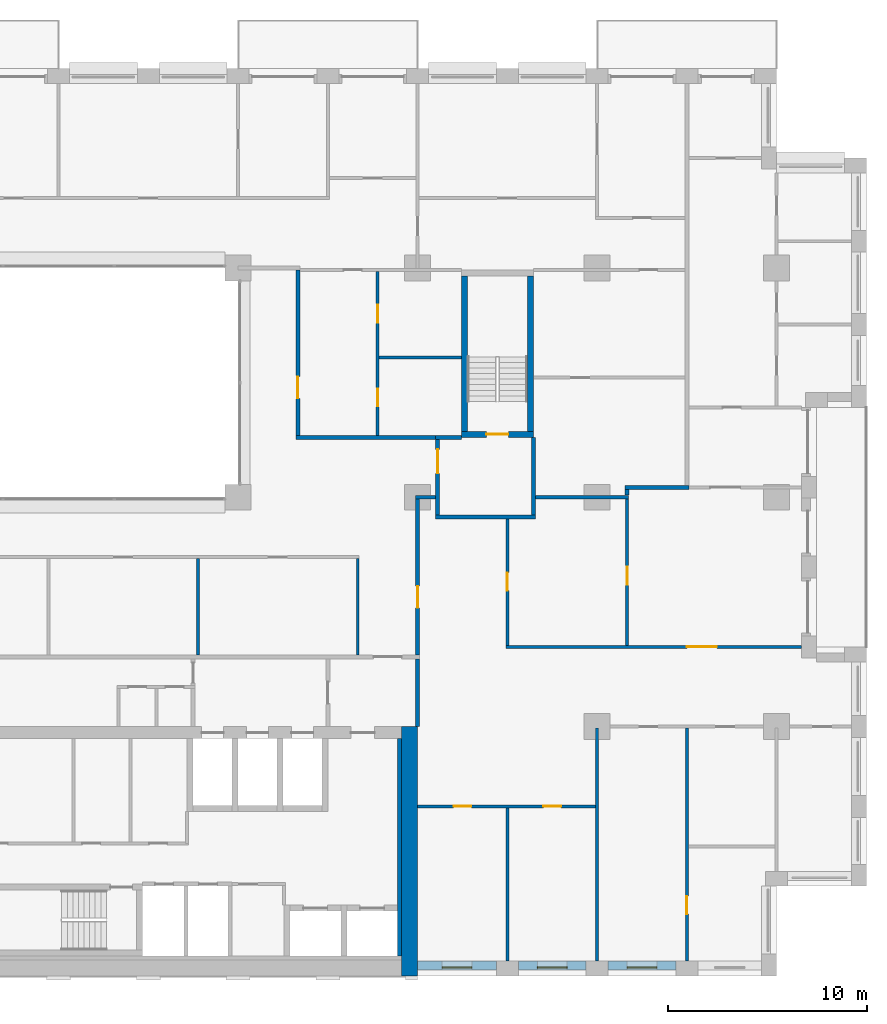
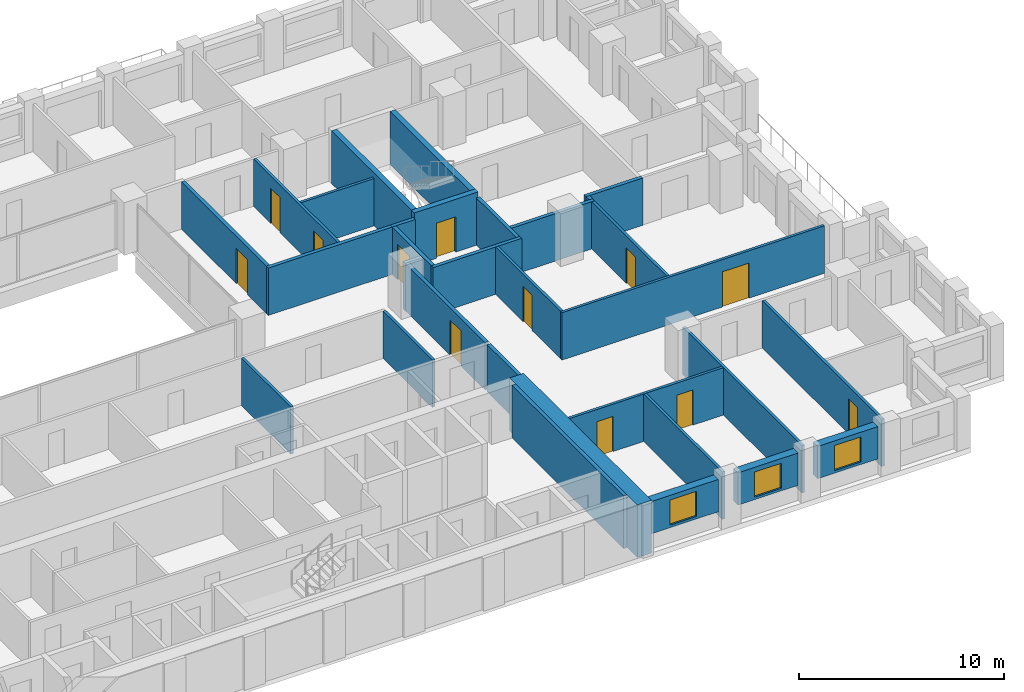
# One storey, part 11 of 17: 31 walls, 12 doors, 3 windows, 15 openings.
"""IFC4 building model written with IfcOpenShell, lengths in metres."""

from ifc_helpers import new_model, si_unit, direction, frame, frame_2d, origin, place, context, subcontext, project, spatial, rectangle, extrude, material, layer, layer_set, type_object, element, fill, save


model = new_model("IFC4")

# Units and contexts
model_context = context("Model", 3, precision=1e-05, world=origin(), true_north=direction((0.0, 1.0)))
body_context = subcontext(model_context, "Body", "Model", "MODEL_VIEW")
ifc_project = project(units=[si_unit("LENGTHUNIT", "METRE"), si_unit("AREAUNIT", "SQUARE_METRE"), si_unit("VOLUMEUNIT", "CUBIC_METRE"), si_unit("PLANEANGLEUNIT", "RADIAN"), si_unit("MASSUNIT", "GRAM", prefix="KILO")], contexts=[model_context])

# Site, building, storey
site_placement = place(None, origin())
site = spatial("IfcSite", under=ifc_project, at=site_placement, CompositionType="ELEMENT")
building_placement = place(site_placement, origin())
building = spatial("IfcBuilding", under=site, at=building_placement, Name="Brigalow Station Residences", CompositionType="ELEMENT")
storey_placement = place(building_placement, frame((0.0, 0.0, 111.89990234375)))
storey = spatial("IfcBuildingStorey", under=building, at=storey_placement, Name="L32", CompositionType="ELEMENT", Elevation=111.89990234375)

# Wall, opening, window
ifc_material_1 = material(Name="Clay brick masonry", Category="masonry")
ifc_layer_1 = layer(ifc_material_1, 0.449951171875)
ifc_layer_set_1 = layer_set([ifc_layer_1], Name="BRICK INFILL WALL 450")
wall_type_1 = type_object("IfcWallType", Name="BRICK INFILL WALL 450", PredefinedType="SOLIDWALL", material=ifc_layer_set_1)
wall_1_placement = place(storey_placement, frame((54.0, 0.52490234375, 0.900146484375), z_axis=(0.0, 0.0, 1.0), x_axis=(1.0, 0.0, 0.0)))
wall_1 = element("IfcWall", 1, at=wall_1_placement, inside=storey, type_object=wall_type_1, Name="L32/ewall/W-L32-4", PredefinedType="SOLIDWALL", context=body_context, shape_type="SweptSolid", body=[
    extrude(rectangle(XDim=3.949951171875, YDim=0.449951171875, at=frame_2d((1.97509765625, 0.0))), origin(), (0.0, 0.0, 1.0), 1.929931640625),
])
opening_1_placement = place(wall_1_placement, frame((1.22509765625, 0.0, 0.14990234375)))
opening_1 = element("IfcOpeningElement", 2, at=opening_1_placement, cuts=wall_1, Name="Opening WT-1", PredefinedType="OPENING", context=body_context, shape_type="SweptSolid", body=[
    extrude(rectangle(XDim=1.5, YDim=1.5, at=frame_2d((0.75, 0.75))), frame((0.0, 0.23486328125, 0.0), z_axis=(0.0, -1.0, 0.0), x_axis=(1.0, 0.0, 0.0)), (0.0, 0.0, 1.0), 0.469970703125),
])
ifc_material_2 = material(Name="Anodised aluminium frame with double glazing", Category="aluminium")
window_type = type_object("IfcWindowType", Name="WINDOW 1500x1500", PartitioningType="SINGLE_PANEL", PredefinedType="WINDOW", material=ifc_material_2)
window_1_placement = place(opening_1_placement, origin())
window_1 = element("IfcWindow", 3, at=window_1_placement, inside=storey, type_object=window_type, Name="L32/window/W-L32-4", OverallHeight=1.5, OverallWidth=1.5, PartitioningType="SINGLE_PANEL", PredefinedType="WINDOW", context=body_context, shape_type="SweptSolid", body=[
    extrude(rectangle(XDim=1.5, YDim=1.5, at=frame_2d((0.75, 0.75))), frame((0.0, -0.06494140625, 0.0), z_axis=(0.0, -1.0, 0.0), x_axis=(1.0, 0.0, 0.0)), (0.0, 0.0, 1.0), 0.06005859375),
])
fill(opening_1, window_1)

wall_2_placement = place(storey_placement, frame((59.050048828125, 0.52490234375, 0.900146484375), z_axis=(0.0, 0.0, 1.0), x_axis=(1.0, 0.0, 0.0)))
wall_2 = element("IfcWall", 4, at=wall_2_placement, inside=storey, type_object=wall_type_1, Name="L32/ewall/W-L32-5", PredefinedType="SOLIDWALL", context=body_context, shape_type="SweptSolid", body=[
    extrude(rectangle(XDim=3.39990234375, YDim=0.449951171875, at=frame_2d((1.699951171875, 0.0))), origin(), (0.0, 0.0, 1.0), 1.929931640625),
])
opening_2_placement = place(wall_2_placement, frame((0.949951171875, 0.0, 0.14990234375)))
opening_2 = element("IfcOpeningElement", 5, at=opening_2_placement, cuts=wall_2, Name="Opening WT-1", PredefinedType="OPENING", context=body_context, shape_type="SweptSolid", body=[
    extrude(rectangle(XDim=1.5, YDim=1.5, at=frame_2d((0.75, 0.75))), frame((0.0, 0.23486328125, 0.0), z_axis=(0.0, -1.0, 0.0), x_axis=(1.0, 0.0, 0.0)), (0.0, 0.0, 1.0), 0.469970703125),
])
window_2_placement = place(opening_2_placement, origin())
window_2 = element("IfcWindow", 6, at=window_2_placement, inside=storey, type_object=window_type, Name="L32/window/W-L32-5", OverallHeight=1.5, OverallWidth=1.5, PartitioningType="SINGLE_PANEL", PredefinedType="WINDOW", context=body_context, shape_type="SweptSolid", body=[
    extrude(rectangle(XDim=1.5, YDim=1.5, at=frame_2d((0.75, 0.75))), frame((0.0, -0.06494140625, 0.0), z_axis=(0.0, -1.0, 0.0), x_axis=(1.0, 0.0, 0.0)), (0.0, 0.0, 1.0), 0.06005859375),
])
fill(opening_2, window_2)

wall_3_placement = place(storey_placement, frame((63.550048828125, 0.52490234375, 0.900146484375), z_axis=(0.0, 0.0, 1.0), x_axis=(1.0, 0.0, 0.0)))
wall_3 = element("IfcWall", 7, at=wall_3_placement, inside=storey, type_object=wall_type_1, Name="L32/ewall/W-L32-6", PredefinedType="SOLIDWALL", context=body_context, shape_type="SweptSolid", body=[
    extrude(rectangle(XDim=3.39990234375, YDim=0.449951171875, at=frame_2d((1.699951171875, 0.0))), origin(), (0.0, 0.0, 1.0), 1.929931640625),
])
opening_3_placement = place(wall_3_placement, frame((0.949951171875, 0.0, 0.14990234375)))
opening_3 = element("IfcOpeningElement", 8, at=opening_3_placement, cuts=wall_3, Name="Opening WT-1", PredefinedType="OPENING", context=body_context, shape_type="SweptSolid", body=[
    extrude(rectangle(XDim=1.5, YDim=1.5, at=frame_2d((0.75, 0.75))), frame((0.0, 0.23486328125, 0.0), z_axis=(0.0, -1.0, 0.0), x_axis=(1.0, 0.0, 0.0)), (0.0, 0.0, 1.0), 0.469970703125),
])
window_3_placement = place(opening_3_placement, origin())
window_3 = element("IfcWindow", 9, at=window_3_placement, inside=storey, type_object=window_type, Name="L32/window/W-L32-6", OverallHeight=1.5, OverallWidth=1.5, PartitioningType="SINGLE_PANEL", PredefinedType="WINDOW", context=body_context, shape_type="SweptSolid", body=[
    extrude(rectangle(XDim=1.5, YDim=1.5, at=frame_2d((0.75, 0.75))), frame((0.0, -0.06494140625, 0.0), z_axis=(0.0, -1.0, 0.0), x_axis=(1.0, 0.0, 0.0)), (0.0, 0.0, 1.0), 0.06005859375),
])
fill(opening_3, window_3)

# Wall
ifc_material_3 = material(Name="Concrete C65", Category="concrete")
ifc_layer_2 = layer(ifc_material_3, 0.199951171875)
ifc_layer_set_2 = layer_set([ifc_layer_2], Name="CORE SHEAR WALL 200 C65")
wall_type_2 = type_object("IfcWallType", Name="CORE SHEAR WALL 200 C65", PredefinedType="SHEAR", material=ifc_layer_set_2)
wall_4_placement = place(storey_placement, frame((53.10009765625, 1.0, 0.0), z_axis=(0.0, 0.0, 1.0), x_axis=(0.0, 1.0, 0.0)))
element("IfcWall", 10, at=wall_4_placement, inside=storey, type_object=wall_type_2, Name="CORE WALL LIN-E L32", PredefinedType="SHEAR", context=body_context, shape_type="SweptSolid", body=[
    extrude(rectangle(XDim=10.89990234375, YDim=0.199951171875, at=frame_2d((5.449951171875, 0.0))), origin(), (0.0, 0.0, 1.0), 3.150146484375),
])

# Wall, opening, door
ifc_material_4 = material(Name="Concrete C65", Category="concrete")
ifc_layer_3 = layer(ifc_material_4, 0.300048828125)
ifc_layer_set_3 = layer_set([ifc_layer_3], Name="CORE SHEAR WALL 300 C65")
wall_type_3 = type_object("IfcWallType", Name="CORE SHEAR WALL 300 C65", PredefinedType="SHEAR", material=ifc_layer_set_3)
wall_5_placement = place(storey_placement, frame((56.199951171875, 27.14990234375, 0.0), z_axis=(0.0, 0.0, 1.0), x_axis=(1.0, 0.0, 0.0)))
wall_5 = element("IfcWall", 11, at=wall_5_placement, inside=storey, type_object=wall_type_3, Name="CORE WALL ST-S3-S L32", PredefinedType="SHEAR", context=body_context, shape_type="SweptSolid", body=[
    extrude(rectangle(XDim=3.60009765625, YDim=0.300048828125, at=frame_2d((1.800048828125, 0.0))), origin(), (0.0, 0.0, 1.0), 3.150146484375),
])
opening_4_placement = place(wall_5_placement, frame((1.25, 0.0, 0.0)))
opening_4 = element("IfcOpeningElement", 12, at=opening_4_placement, cuts=wall_5, Name="Opening D-5018", PredefinedType="OPENING", context=body_context, shape_type="SweptSolid", body=[
    extrude(rectangle(XDim=1.10009765625, YDim=2.10009765625, at=frame_2d((0.550048828125, 1.050048828125))), frame((0.0, 0.16015625, 0.0), z_axis=(0.0, -1.0, 0.0), x_axis=(1.0, 0.0, 0.0)), (0.0, 0.0, 1.0), 0.320068359375),
])
ifc_material_5 = material(Name="Steel fire door leaf in steel frame", Category="steel")
door_type_1 = type_object("IfcDoorType", Name="STAIR DOOR 1100 x 2100 FD60S", OperationType="SINGLE_SWING_LEFT", PredefinedType="DOOR", material=ifc_material_5)
door_1_placement = place(opening_4_placement, origin())
door_1 = element("IfcDoor", 13, at=door_1_placement, inside=storey, type_object=door_type_1, Name="D-5018", OperationType="SINGLE_SWING_LEFT", OverallHeight=2.10009765625, OverallWidth=1.10009765625, PredefinedType="DOOR", context=body_context, shape_type="SweptSolid", body=[
    extrude(rectangle(XDim=1.10009765625, YDim=2.10009765625, at=frame_2d((0.550048828125, 1.050048828125))), frame((0.0, 0.02490234375, 0.0), z_axis=(0.0, -1.0, 0.0), x_axis=(1.0, 0.0, 0.0)), (0.0, 0.0, 1.0), 0.050048828125),
])
fill(opening_4, door_1)

# Walls
for number, where, z_axis, x_axis, name in (
    (14, (56.35009765625, 27.300048828125, 0.0), (0.0, 0.0, 1.0), (0.0, 1.0, 0.0), "CORE WALL ST-S3-W L32"),
    (15, (59.64990234375, 27.300048828125, 0.0), (0.0, 0.0, 1.0), (0.0, 1.0, 0.0), "CORE WALL ST-S3-E L32"),
):
    element("IfcWall", number, at=place(storey_placement, frame(where, z_axis=z_axis, x_axis=x_axis)), inside=storey, type_object=wall_type_3, Name=name, PredefinedType="SHEAR", context=body_context, shape_type="SweptSolid", body=[
        extrude(rectangle(XDim=7.800048828125, YDim=0.300048828125, at=frame_2d((3.89990234375, 0.0))), origin(), (0.0, 0.0, 1.0), 3.150146484375),
    ])
ifc_material_6 = material(Name="Concrete C65", Category="concrete")
ifc_layer_4 = layer(ifc_material_6, 0.800048828125)
ifc_layer_set_4 = layer_set([ifc_layer_4], Name="CORE SHEAR WALL 800 C65")
wall_type_4 = type_object("IfcWallType", Name="CORE SHEAR WALL 800 C65", PredefinedType="SHEAR", material=ifc_layer_set_4)
wall_6_placement = place(storey_placement, frame((53.60009765625, 0.0, 0.0), z_axis=(0.0, 0.0, 1.0), x_axis=(0.0, 1.0, 0.0)))
element("IfcWall", 16, at=wall_6_placement, inside=storey, type_object=wall_type_4, Name="CORE WALL OUT-E L32", PredefinedType="SHEAR", context=body_context, shape_type="SweptSolid", body=[
    extrude(rectangle(XDim=12.5, YDim=0.800048828125, at=frame_2d((6.25, 0.0))), origin(), (0.0, 0.0, 1.0), 3.150146484375),
])
ifc_material_7 = material(Name="Concrete blockwork", Category="masonry")
ifc_layer_5 = layer(ifc_material_7, 0.199951171875)
ifc_layer_set_5 = layer_set([ifc_layer_5], Name="FIRE RATED CORE PARTITION 200")
wall_type_5 = type_object("IfcWallType", Name="FIRE RATED CORE PARTITION 200", PredefinedType="PARTITIONING", material=ifc_layer_set_5)
wall_7_placement = place(storey_placement, frame((54.89990234375, 23.0, 0.0), z_axis=(0.0, 0.0, 1.0), x_axis=(1.0, 0.0, 0.0)))
element("IfcWall", 17, at=wall_7_placement, inside=storey, type_object=wall_type_5, Name="PW-5024", PredefinedType="PARTITIONING", context=body_context, shape_type="SweptSolid", body=[
    extrude(rectangle(XDim=5.0, YDim=0.199951171875, at=frame_2d((2.5, 0.0))), origin(), (0.0, 0.0, 1.0), 2.830078125),
])
wall_8_placement = place(storey_placement, frame((54.89990234375, 27.0, 0.0), z_axis=(0.0, 0.0, 1.0), x_axis=(1.0, 0.0, 0.0)))
element("IfcWall", 18, at=wall_8_placement, inside=storey, type_object=wall_type_5, Name="PW-5026", PredefinedType="PARTITIONING", context=body_context, shape_type="SweptSolid", body=[
    extrude(rectangle(XDim=1.300048828125, YDim=0.199951171875, at=frame_2d((0.64990234375, 0.0))), origin(), (0.0, 0.0, 1.0), 2.830078125),
])
wall_9_placement = place(storey_placement, frame((54.0, 12.5, 0.0), z_axis=(0.0, 0.0, 1.0), x_axis=(0.0, 1.0, 0.0)))
element("IfcWall", 19, at=wall_9_placement, inside=storey, type_object=wall_type_5, Name="PW-5016", PredefinedType="PARTITIONING", context=body_context, shape_type="SweptSolid", body=[
    extrude(rectangle(XDim=3.39990234375, YDim=0.199951171875, at=frame_2d((1.699951171875, 0.0))), origin(), (0.0, 0.0, 1.0), 2.830078125),
])

# Wall, opening, door
wall_10_placement = place(storey_placement, frame((55.0, 23.10009765625, 0.0), z_axis=(0.0, 0.0, 1.0), x_axis=(0.0, 1.0, 0.0)))
wall_10 = element("IfcWall", 20, at=wall_10_placement, inside=storey, type_object=wall_type_5, Name="PW-5036", PredefinedType="PARTITIONING", context=body_context, shape_type="SweptSolid", body=[
    extrude(rectangle(XDim=3.7998046875, YDim=0.199951171875, at=frame_2d((1.89990234375, 0.0))), origin(), (0.0, 0.0, 1.0), 2.830078125),
])
opening_5_placement = place(wall_10_placement, frame((2.10009765625, 0.0, 0.0)))
opening_5 = element("IfcOpeningElement", 21, at=opening_5_placement, cuts=wall_10, Name="Opening D-5019", PredefinedType="OPENING", context=body_context, shape_type="SweptSolid", body=[
    extrude(rectangle(XDim=1.199951171875, YDim=2.10009765625, at=frame_2d((0.60009765625, 1.050048828125))), frame((0.0, 0.10986328125, 0.0), z_axis=(0.0, -1.0, 0.0), x_axis=(1.0, 0.0, 0.0)), (0.0, 0.0, 1.0), 0.219970703125),
])
ifc_material_8 = material(Name="Steel fire door leaf in steel frame", Category="steel")
door_type_2 = type_object("IfcDoorType", Name="STAIR LOBBY DOOR 1200 x 2100 FD60S", OperationType="SINGLE_SWING_LEFT", PredefinedType="DOOR", material=ifc_material_8)
door_2_placement = place(opening_5_placement, frame((1.199951171875, 0.0, 0.0), z_axis=(0.0, 0.0, 1.0), x_axis=(-1.0, 0.0, 0.0)))
door_2 = element("IfcDoor", 22, at=door_2_placement, inside=storey, type_object=door_type_2, Name="D-5019", OperationType="SINGLE_SWING_LEFT", OverallHeight=2.10009765625, OverallWidth=1.199951171875, PredefinedType="DOOR", context=body_context, shape_type="SweptSolid", body=[
    extrude(rectangle(XDim=1.199951171875, YDim=2.10009765625, at=frame_2d((0.60009765625, 1.050048828125))), frame((0.0, 0.02490234375, 0.0), z_axis=(0.0, -1.0, 0.0), x_axis=(1.0, 0.0, 0.0)), (0.0, 0.0, 1.0), 0.050048828125),
])
fill(opening_5, door_2)

# Wall
wall_11_placement = place(storey_placement, frame((59.800048828125, 23.10009765625, 0.0), z_axis=(0.0, 0.0, 1.0), x_axis=(0.0, 1.0, 0.0)))
element("IfcWall", 23, at=wall_11_placement, inside=storey, type_object=wall_type_5, Name="PW-5037", PredefinedType="PARTITIONING", context=body_context, shape_type="SweptSolid", body=[
    extrude(rectangle(XDim=3.89990234375, YDim=0.199951171875, at=frame_2d((1.949951171875, 0.0))), origin(), (0.0, 0.0, 1.0), 2.830078125),
])

# Wall, opening, door
ifc_material_9 = material(Name="Plasterboard on steel stud partition", Category="steel")
ifc_layer_6 = layer(ifc_material_9, 0.14990234375)
ifc_layer_set_6 = layer_set([ifc_layer_6], Name="FLAT PARTITION 150")
wall_type_6 = type_object("IfcWallType", Name="FLAT PARTITION 150", PredefinedType="PARTITIONING", material=ifc_layer_set_6)
wall_12_placement = place(storey_placement, frame((58.425048828125, 16.5, 0.0), z_axis=(0.0, 0.0, 1.0), x_axis=(1.0, 0.0, 0.0)))
wall_12 = element("IfcWall", 24, at=wall_12_placement, inside=storey, type_object=wall_type_6, Name="PW-2D13", PredefinedType="PARTITIONING", context=body_context, shape_type="SweptSolid", body=[
    extrude(rectangle(XDim=14.824951171875, YDim=0.14990234375, at=frame_2d((7.41259765625, 0.0))), origin(), (0.0, 0.0, 1.0), 2.830078125),
])
opening_6_placement = place(wall_12_placement, frame((9.074951171875, 0.0, 0.0)))
opening_6 = element("IfcOpeningElement", 25, at=opening_6_placement, cuts=wall_12, Name="Opening D-2D41", PredefinedType="OPENING", context=body_context, shape_type="SweptSolid", body=[
    extrude(rectangle(XDim=1.5, YDim=2.10009765625, at=frame_2d((0.75, 1.050048828125))), frame((0.0, 0.0849609375, 0.0), z_axis=(0.0, -1.0, 0.0), x_axis=(1.0, 0.0, 0.0)), (0.0, 0.0, 1.0), 0.169921875),
])
ifc_material_10 = material(Name="Solid-core timber door leaf", Category="wood")
door_type_3 = type_object("IfcDoorType", Name="INTERNAL DOUBLE DOOR 1500 x 2100", OperationType="DOUBLE_DOOR_SINGLE_SWING", PredefinedType="DOOR", material=ifc_material_10)
door_3_placement = place(opening_6_placement, origin())
door_3 = element("IfcDoor", 26, at=door_3_placement, inside=storey, type_object=door_type_3, Name="D-2D41", OperationType="DOUBLE_DOOR_SINGLE_SWING", OverallHeight=2.10009765625, OverallWidth=1.5, PredefinedType="DOOR", context=body_context, shape_type="SweptSolid", body=[
    extrude(rectangle(XDim=1.5, YDim=2.10009765625, at=frame_2d((0.75, 1.050048828125))), frame((0.0, 0.02490234375, 0.0), z_axis=(0.0, -1.0, 0.0), x_axis=(1.0, 0.0, 0.0)), (0.0, 0.0, 1.0), 0.050048828125),
])
fill(opening_6, door_3)

# Wall, openings, doors
wall_13_placement = place(storey_placement, frame((54.0, 8.5, 0.0), z_axis=(0.0, 0.0, 1.0), x_axis=(1.0, 0.0, 0.0)))
wall_13 = element("IfcWall", 27, at=wall_13_placement, inside=storey, type_object=wall_type_6, Name="PW-2D15", PredefinedType="PARTITIONING", context=body_context, shape_type="SweptSolid", body=[
    extrude(rectangle(XDim=8.925048828125, YDim=0.14990234375, at=frame_2d((4.46240234375, 0.0))), origin(), (0.0, 0.0, 1.0), 2.830078125),
])
opening_7_placement = place(wall_13_placement, frame((1.800048828125, 0.0, 0.0)))
opening_7 = element("IfcOpeningElement", 28, at=opening_7_placement, cuts=wall_13, Name="Opening D-2D33", PredefinedType="OPENING", context=body_context, shape_type="SweptSolid", body=[
    extrude(rectangle(XDim=0.89990234375, YDim=2.10009765625, at=frame_2d((0.449951171875, 1.050048828125))), frame((0.0, 0.0849609375, 0.0), z_axis=(0.0, -1.0, 0.0), x_axis=(1.0, 0.0, 0.0)), (0.0, 0.0, 1.0), 0.169921875),
])
opening_8_placement = place(wall_13_placement, frame((6.300048828125, 0.0, 0.0)))
opening_8 = element("IfcOpeningElement", 29, at=opening_8_placement, cuts=wall_13, Name="Opening D-2D35", PredefinedType="OPENING", context=body_context, shape_type="SweptSolid", body=[
    extrude(rectangle(XDim=0.89990234375, YDim=2.10009765625, at=frame_2d((0.449951171875, 1.050048828125))), frame((0.0, 0.0849609375, 0.0), z_axis=(0.0, -1.0, 0.0), x_axis=(1.0, 0.0, 0.0)), (0.0, 0.0, 1.0), 0.169921875),
])
ifc_material_11 = material(Name="Solid-core timber door leaf", Category="wood")
door_type_4 = type_object("IfcDoorType", Name="INTERNAL DOOR 900 x 2100", OperationType="SINGLE_SWING_LEFT", PredefinedType="DOOR", material=ifc_material_11)
door_4_placement = place(opening_7_placement, frame((0.89990234375, 0.0, 0.0), z_axis=(0.0, 0.0, 1.0), x_axis=(-1.0, 0.0, 0.0)))
door_4 = element("IfcDoor", 30, at=door_4_placement, inside=storey, type_object=door_type_4, Name="D-2D33", OperationType="SINGLE_SWING_LEFT", OverallHeight=2.10009765625, OverallWidth=0.89990234375, PredefinedType="DOOR", context=body_context, shape_type="SweptSolid", body=[
    extrude(rectangle(XDim=0.89990234375, YDim=2.10009765625, at=frame_2d((0.449951171875, 1.050048828125))), frame((0.0, 0.02490234375, 0.0), z_axis=(0.0, -1.0, 0.0), x_axis=(1.0, 0.0, 0.0)), (0.0, 0.0, 1.0), 0.050048828125),
])
fill(opening_7, door_4)
door_5_placement = place(opening_8_placement, frame((0.89990234375, 0.0, 0.0), z_axis=(0.0, 0.0, 1.0), x_axis=(-1.0, 0.0, 0.0)))
door_5 = element("IfcDoor", 31, at=door_5_placement, inside=storey, type_object=door_type_4, Name="D-2D35", OperationType="SINGLE_SWING_RIGHT", OverallHeight=2.10009765625, OverallWidth=0.89990234375, PredefinedType="DOOR", context=body_context, shape_type="SweptSolid", body=[
    extrude(rectangle(XDim=0.89990234375, YDim=2.10009765625, at=frame_2d((0.449951171875, 1.050048828125))), frame((0.0, 0.02490234375, 0.0), z_axis=(0.0, -1.0, 0.0), x_axis=(1.0, 0.0, 0.0)), (0.0, 0.0, 1.0), 0.050048828125),
])
fill(opening_8, door_5)

# Walls
wall_14_placement = place(storey_placement, frame((52.074951171875, 31.0, 0.0), z_axis=(0.0, 0.0, 1.0), x_axis=(1.0, 0.0, 0.0)))
element("IfcWall", 32, at=wall_14_placement, inside=storey, type_object=wall_type_6, Name="PW-2D29", PredefinedType="PARTITIONING", context=body_context, shape_type="SweptSolid", body=[
    extrude(rectangle(XDim=4.125, YDim=0.14990234375, at=frame_2d((2.0625, 0.0))), origin(), (0.0, 0.0, 1.0), 2.830078125),
])
wall_15_placement = place(storey_placement, frame((51.0, 16.10009765625, 0.0), z_axis=(0.0, 0.0, 1.0), x_axis=(0.0, 1.0, 0.0)))
element("IfcWall", 33, at=wall_15_placement, inside=storey, type_object=wall_type_6, Name="PW-2D42", PredefinedType="PARTITIONING", context=body_context, shape_type="SweptSolid", body=[
    extrude(rectangle(XDim=4.824951171875, YDim=0.14990234375, at=frame_2d((2.41259765625, 0.0))), origin(), (0.0, 0.0, 1.0), 2.830078125),
])

# Wall, openings, doors
wall_16_placement = place(storey_placement, frame((52.0, 27.10009765625, 0.0), z_axis=(0.0, 0.0, 1.0), x_axis=(0.0, 1.0, 0.0)))
wall_16 = element("IfcWall", 34, at=wall_16_placement, inside=storey, type_object=wall_type_6, Name="PW-2D53", PredefinedType="PARTITIONING", context=body_context, shape_type="SweptSolid", body=[
    extrude(rectangle(XDim=8.224853515625, YDim=0.14990234375, at=frame_2d((4.1123046875, 0.0))), origin(), (0.0, 0.0, 1.0), 2.830078125),
])
opening_9_placement = place(wall_16_placement, frame((1.449951171875, 0.0, 0.0)))
opening_9 = element("IfcOpeningElement", 35, at=opening_9_placement, cuts=wall_16, Name="Opening D-2D18", PredefinedType="OPENING", context=body_context, shape_type="SweptSolid", body=[
    extrude(rectangle(XDim=0.89990234375, YDim=2.10009765625, at=frame_2d((0.449951171875, 1.050048828125))), frame((0.0, 0.0849609375, 0.0), z_axis=(0.0, -1.0, 0.0), x_axis=(1.0, 0.0, 0.0)), (0.0, 0.0, 1.0), 0.169921875),
])
opening_10_placement = place(wall_16_placement, frame((5.64990234375, 0.0, 0.0)))
opening_10 = element("IfcOpeningElement", 36, at=opening_10_placement, cuts=wall_16, Name="Opening D-2D19", PredefinedType="OPENING", context=body_context, shape_type="SweptSolid", body=[
    extrude(rectangle(XDim=0.89990234375, YDim=2.10009765625, at=frame_2d((0.449951171875, 1.050048828125))), frame((0.0, 0.0849609375, 0.0), z_axis=(0.0, -1.0, 0.0), x_axis=(1.0, 0.0, 0.0)), (0.0, 0.0, 1.0), 0.169921875),
])
door_6_placement = place(opening_9_placement, frame((0.89990234375, 0.0, 0.0), z_axis=(0.0, 0.0, 1.0), x_axis=(-1.0, 0.0, 0.0)))
door_6 = element("IfcDoor", 37, at=door_6_placement, inside=storey, type_object=door_type_4, Name="D-2D18", OperationType="SINGLE_SWING_RIGHT", OverallHeight=2.10009765625, OverallWidth=0.89990234375, PredefinedType="DOOR", context=body_context, shape_type="SweptSolid", body=[
    extrude(rectangle(XDim=0.89990234375, YDim=2.10009765625, at=frame_2d((0.449951171875, 1.050048828125))), frame((0.0, 0.02490234375, 0.0), z_axis=(0.0, -1.0, 0.0), x_axis=(1.0, 0.0, 0.0)), (0.0, 0.0, 1.0), 0.050048828125),
])
fill(opening_9, door_6)
door_7_placement = place(opening_10_placement, frame((0.89990234375, 0.0, 0.0), z_axis=(0.0, 0.0, 1.0), x_axis=(-1.0, 0.0, 0.0)))
door_7 = element("IfcDoor", 38, at=door_7_placement, inside=storey, type_object=door_type_4, Name="D-2D19", OperationType="SINGLE_SWING_LEFT", OverallHeight=2.10009765625, OverallWidth=0.89990234375, PredefinedType="DOOR", context=body_context, shape_type="SweptSolid", body=[
    extrude(rectangle(XDim=0.89990234375, YDim=2.10009765625, at=frame_2d((0.449951171875, 1.050048828125))), frame((0.0, 0.02490234375, 0.0), z_axis=(0.0, -1.0, 0.0), x_axis=(1.0, 0.0, 0.0)), (0.0, 0.0, 1.0), 0.050048828125),
])
fill(opening_10, door_7)

# Wall
wall_17_placement = place(storey_placement, frame((63.0, 0.75, 0.0), z_axis=(0.0, 0.0, 1.0), x_axis=(0.0, 1.0, 0.0)))
element("IfcWall", 39, at=wall_17_placement, inside=storey, type_object=wall_type_6, Name="PW-2D58", PredefinedType="PARTITIONING", context=body_context, shape_type="SweptSolid", body=[
    extrude(rectangle(XDim=11.675048828125, YDim=0.14990234375, at=frame_2d((5.83740234375, 0.0))), origin(), (0.0, 0.0, 1.0), 2.830078125),
])

# Wall, opening, door
wall_18_placement = place(storey_placement, frame((67.5, 0.75, 0.0), z_axis=(0.0, 0.0, 1.0), x_axis=(0.0, 1.0, 0.0)))
wall_18 = element("IfcWall", 40, at=wall_18_placement, inside=storey, type_object=wall_type_6, Name="PW-2D60", PredefinedType="PARTITIONING", context=body_context, shape_type="SweptSolid", body=[
    extrude(rectangle(XDim=11.675048828125, YDim=0.14990234375, at=frame_2d((5.83740234375, 0.0))), origin(), (0.0, 0.0, 1.0), 2.830078125),
])
opening_11_placement = place(wall_18_placement, frame((2.35009765625, 0.0, 0.0)))
opening_11 = element("IfcOpeningElement", 41, at=opening_11_placement, cuts=wall_18, Name="Opening D-2D37", PredefinedType="OPENING", context=body_context, shape_type="SweptSolid", body=[
    extrude(rectangle(XDim=0.89990234375, YDim=2.10009765625, at=frame_2d((0.449951171875, 1.050048828125))), frame((0.0, 0.0849609375, 0.0), z_axis=(0.0, -1.0, 0.0), x_axis=(1.0, 0.0, 0.0)), (0.0, 0.0, 1.0), 0.169921875),
])
door_8_placement = place(opening_11_placement, frame((0.89990234375, 0.0, 0.0), z_axis=(0.0, 0.0, 1.0), x_axis=(-1.0, 0.0, 0.0)))
door_8 = element("IfcDoor", 42, at=door_8_placement, inside=storey, type_object=door_type_4, Name="D-2D37", OperationType="SINGLE_SWING_RIGHT", OverallHeight=2.10009765625, OverallWidth=0.89990234375, PredefinedType="DOOR", context=body_context, shape_type="SweptSolid", body=[
    extrude(rectangle(XDim=0.89990234375, YDim=2.10009765625, at=frame_2d((0.449951171875, 1.050048828125))), frame((0.0, 0.02490234375, 0.0), z_axis=(0.0, -1.0, 0.0), x_axis=(1.0, 0.0, 0.0)), (0.0, 0.0, 1.0), 0.050048828125),
])
fill(opening_11, door_8)

wall_19_placement = place(storey_placement, frame((64.5, 16.574951171875, 0.0), z_axis=(0.0, 0.0, 1.0), x_axis=(0.0, 1.0, 0.0)))
wall_19 = element("IfcWall", 43, at=wall_19_placement, inside=storey, type_object=wall_type_6, Name="PW-2D62", PredefinedType="PARTITIONING", context=body_context, shape_type="SweptSolid", body=[
    extrude(rectangle(XDim=7.324951171875, YDim=0.14990234375, at=frame_2d((3.66259765625, 0.0))), origin(), (0.0, 0.0, 1.0), 2.830078125),
])
opening_12_placement = place(wall_19_placement, frame((3.050048828125, 0.0, 0.0)))
opening_12 = element("IfcOpeningElement", 44, at=opening_12_placement, cuts=wall_19, Name="Opening D-2D40", PredefinedType="OPENING", context=body_context, shape_type="SweptSolid", body=[
    extrude(rectangle(XDim=0.89990234375, YDim=2.10009765625, at=frame_2d((0.449951171875, 1.050048828125))), frame((0.0, 0.0849609375, 0.0), z_axis=(0.0, -1.0, 0.0), x_axis=(1.0, 0.0, 0.0)), (0.0, 0.0, 1.0), 0.169921875),
])
door_9_placement = place(opening_12_placement, origin())
door_9 = element("IfcDoor", 45, at=door_9_placement, inside=storey, type_object=door_type_4, Name="D-2D40", OperationType="SINGLE_SWING_LEFT", OverallHeight=2.10009765625, OverallWidth=0.89990234375, PredefinedType="DOOR", context=body_context, shape_type="SweptSolid", body=[
    extrude(rectangle(XDim=0.89990234375, YDim=2.10009765625, at=frame_2d((0.449951171875, 1.050048828125))), frame((0.0, 0.02490234375, 0.0), z_axis=(0.0, -1.0, 0.0), x_axis=(1.0, 0.0, 0.0)), (0.0, 0.0, 1.0), 0.050048828125),
])
fill(opening_12, door_9)

# Wall
wall_20_placement = place(storey_placement, frame((58.5, 0.75, 0.0), z_axis=(0.0, 0.0, 1.0), x_axis=(0.0, 1.0, 0.0)))
element("IfcWall", 46, at=wall_20_placement, inside=storey, type_object=wall_type_6, Name="PW-2D64", PredefinedType="PARTITIONING", context=body_context, shape_type="SweptSolid", body=[
    extrude(rectangle(XDim=7.675048828125, YDim=0.14990234375, at=frame_2d((3.83740234375, 0.0))), origin(), (0.0, 0.0, 1.0), 2.830078125),
])

# Wall, opening, door
wall_21_placement = place(storey_placement, frame((58.5, 16.574951171875, 0.0), z_axis=(0.0, 0.0, 1.0), x_axis=(0.0, 1.0, 0.0)))
wall_21 = element("IfcWall", 47, at=wall_21_placement, inside=storey, type_object=wall_type_6, Name="PW-2D65", PredefinedType="PARTITIONING", context=body_context, shape_type="SweptSolid", body=[
    extrude(rectangle(XDim=6.324951171875, YDim=0.14990234375, at=frame_2d((3.16259765625, 0.0))), origin(), (0.0, 0.0, 1.0), 2.830078125),
])
opening_13_placement = place(wall_21_placement, frame((2.75, 0.0, 0.0)))
opening_13 = element("IfcOpeningElement", 48, at=opening_13_placement, cuts=wall_21, Name="Opening D-2D39", PredefinedType="OPENING", context=body_context, shape_type="SweptSolid", body=[
    extrude(rectangle(XDim=0.89990234375, YDim=2.10009765625, at=frame_2d((0.449951171875, 1.050048828125))), frame((0.0, 0.0849609375, 0.0), z_axis=(0.0, -1.0, 0.0), x_axis=(1.0, 0.0, 0.0)), (0.0, 0.0, 1.0), 0.169921875),
])
door_10_placement = place(opening_13_placement, frame((0.89990234375, 0.0, 0.0), z_axis=(0.0, 0.0, 1.0), x_axis=(-1.0, 0.0, 0.0)))
door_10 = element("IfcDoor", 49, at=door_10_placement, inside=storey, type_object=door_type_4, Name="D-2D39", OperationType="SINGLE_SWING_LEFT", OverallHeight=2.10009765625, OverallWidth=0.89990234375, PredefinedType="DOOR", context=body_context, shape_type="SweptSolid", body=[
    extrude(rectangle(XDim=0.89990234375, YDim=2.10009765625, at=frame_2d((0.449951171875, 1.050048828125))), frame((0.0, 0.02490234375, 0.0), z_axis=(0.0, -1.0, 0.0), x_axis=(1.0, 0.0, 0.0)), (0.0, 0.0, 1.0), 0.050048828125),
])
fill(opening_13, door_10)

# Walls
wall_22_placement = place(storey_placement, frame((43.0, 16.10009765625, 0.0), z_axis=(0.0, 0.0, 1.0), x_axis=(0.0, 1.0, 0.0)))
element("IfcWall", 50, at=wall_22_placement, inside=storey, type_object=wall_type_6, Name="PW-2D70", PredefinedType="PARTITIONING", context=body_context, shape_type="SweptSolid", body=[
    extrude(rectangle(XDim=4.824951171875, YDim=0.14990234375, at=frame_2d((2.41259765625, 0.0))), origin(), (0.0, 0.0, 1.0), 2.830078125),
])
ifc_material_12 = material(Name="Plasterboard on steel stud partition", Category="steel")
ifc_layer_7 = layer(ifc_material_12, 0.199951171875)
ifc_layer_set_7 = layer_set([ifc_layer_7], Name="PARTY AND CORRIDOR WALL 200")
wall_type_7 = type_object("IfcWallType", Name="PARTY AND CORRIDOR WALL 200", PredefinedType="PARTITIONING", material=ifc_layer_set_7)
wall_23_placement = place(storey_placement, frame((53.89990234375, 24.0, 0.0), z_axis=(0.0, 0.0, 1.0), x_axis=(1.0, 0.0, 0.0)))
element("IfcWall", 51, at=wall_23_placement, inside=storey, type_object=wall_type_7, Name="PW-2D03", PredefinedType="PARTITIONING", context=body_context, shape_type="SweptSolid", body=[
    extrude(rectangle(XDim=1.0, YDim=0.199951171875, at=frame_2d((0.5, 0.0))), origin(), (0.0, 0.0, 1.0), 2.830078125),
])
wall_24_placement = place(storey_placement, frame((59.89990234375, 24.0, 0.0), z_axis=(0.0, 0.0, 1.0), x_axis=(1.0, 0.0, 0.0)))
element("IfcWall", 52, at=wall_24_placement, inside=storey, type_object=wall_type_7, Name="PW-2D04", PredefinedType="PARTITIONING", context=body_context, shape_type="SweptSolid", body=[
    extrude(rectangle(XDim=4.675048828125, YDim=0.199951171875, at=frame_2d((2.33740234375, 0.0))), origin(), (0.0, 0.0, 1.0), 2.830078125),
])
wall_25_placement = place(storey_placement, frame((47.89990234375, 27.0, 0.0), z_axis=(0.0, 0.0, 1.0), x_axis=(1.0, 0.0, 0.0)))
element("IfcWall", 53, at=wall_25_placement, inside=storey, type_object=wall_type_7, Name="PW-2D06", PredefinedType="PARTITIONING", context=body_context, shape_type="SweptSolid", body=[
    extrude(rectangle(XDim=7.0, YDim=0.199951171875, at=frame_2d((3.5, 0.0))), origin(), (0.0, 0.0, 1.0), 2.830078125),
])
wall_26_placement = place(storey_placement, frame((64.39990234375, 24.5, 0.0), z_axis=(0.0, 0.0, 1.0), x_axis=(1.0, 0.0, 0.0)))
element("IfcWall", 54, at=wall_26_placement, inside=storey, type_object=wall_type_7, Name="PW-2D18", PredefinedType="PARTITIONING", context=body_context, shape_type="SweptSolid", body=[
    extrude(rectangle(XDim=3.2001953125, YDim=0.199951171875, at=frame_2d((1.60009765625, 0.0))), origin(), (0.0, 0.0, 1.0), 2.830078125),
])

# Wall, opening, door
wall_27_placement = place(storey_placement, frame((54.0, 16.10009765625, 0.0), z_axis=(0.0, 0.0, 1.0), x_axis=(0.0, 1.0, 0.0)))
wall_27 = element("IfcWall", 55, at=wall_27_placement, inside=storey, type_object=wall_type_7, Name="PW-2D40", PredefinedType="PARTITIONING", context=body_context, shape_type="SweptSolid", body=[
    extrude(rectangle(XDim=7.7998046875, YDim=0.199951171875, at=frame_2d((3.89990234375, 0.0))), origin(), (0.0, 0.0, 1.0), 2.830078125),
])
opening_14_placement = place(wall_27_placement, frame((2.35009765625, 0.0, 0.0)))
opening_14 = element("IfcOpeningElement", 56, at=opening_14_placement, cuts=wall_27, Name="Opening D-2D32", PredefinedType="OPENING", context=body_context, shape_type="SweptSolid", body=[
    extrude(rectangle(XDim=1.10009765625, YDim=2.10009765625, at=frame_2d((0.550048828125, 1.050048828125))), frame((0.0, 0.10986328125, 0.0), z_axis=(0.0, -1.0, 0.0), x_axis=(1.0, 0.0, 0.0)), (0.0, 0.0, 1.0), 0.219970703125),
])
ifc_material_13 = material(Name="Solid-core timber door leaf", Category="wood")
door_type_5 = type_object("IfcDoorType", Name="FLAT ENTRANCE DOOR 1100 x 2100 FRL -/60/30", OperationType="SINGLE_SWING_LEFT", PredefinedType="DOOR", material=ifc_material_13)
door_11_placement = place(opening_14_placement, frame((1.10009765625, 0.0, 0.0), z_axis=(0.0, 0.0, 1.0), x_axis=(-1.0, 0.0, 0.0)))
door_11 = element("IfcDoor", 57, at=door_11_placement, inside=storey, type_object=door_type_5, Name="D-2D32", OperationType="SINGLE_SWING_LEFT", OverallHeight=2.10009765625, OverallWidth=1.10009765625, PredefinedType="DOOR", context=body_context, shape_type="SweptSolid", body=[
    extrude(rectangle(XDim=1.10009765625, YDim=2.10009765625, at=frame_2d((0.550048828125, 1.050048828125))), frame((0.0, 0.02490234375, 0.0), z_axis=(0.0, -1.0, 0.0), x_axis=(1.0, 0.0, 0.0)), (0.0, 0.0, 1.0), 0.050048828125),
])
fill(opening_14, door_11)

wall_28_placement = place(storey_placement, frame((48.0, 27.10009765625, 0.0), z_axis=(0.0, 0.0, 1.0), x_axis=(0.0, 1.0, 0.0)))
wall_28 = element("IfcWall", 58, at=wall_28_placement, inside=storey, type_object=wall_type_7, Name="PW-2D44", PredefinedType="PARTITIONING", context=body_context, shape_type="SweptSolid", body=[
    extrude(rectangle(XDim=8.2998046875, YDim=0.199951171875, at=frame_2d((4.14990234375, 0.0))), origin(), (0.0, 0.0, 1.0), 2.830078125),
])
opening_15_placement = place(wall_28_placement, frame((1.85009765625, 0.0, 0.0)))
opening_15 = element("IfcOpeningElement", 59, at=opening_15_placement, cuts=wall_28, Name="Opening D-2D17", PredefinedType="OPENING", context=body_context, shape_type="SweptSolid", body=[
    extrude(rectangle(XDim=1.10009765625, YDim=2.10009765625, at=frame_2d((0.550048828125, 1.050048828125))), frame((0.0, 0.10986328125, 0.0), z_axis=(0.0, -1.0, 0.0), x_axis=(1.0, 0.0, 0.0)), (0.0, 0.0, 1.0), 0.219970703125),
])
door_12_placement = place(opening_15_placement, frame((1.10009765625, 0.0, 0.0), z_axis=(0.0, 0.0, 1.0), x_axis=(-1.0, 0.0, 0.0)))
door_12 = element("IfcDoor", 60, at=door_12_placement, inside=storey, type_object=door_type_5, Name="D-2D17", OperationType="SINGLE_SWING_RIGHT", OverallHeight=2.10009765625, OverallWidth=1.10009765625, PredefinedType="DOOR", context=body_context, shape_type="SweptSolid", body=[
    extrude(rectangle(XDim=1.10009765625, YDim=2.10009765625, at=frame_2d((0.550048828125, 1.050048828125))), frame((0.0, 0.02490234375, 0.0), z_axis=(0.0, -1.0, 0.0), x_axis=(1.0, 0.0, 0.0)), (0.0, 0.0, 1.0), 0.050048828125),
])
fill(opening_15, door_12)

# Wall
wall_29_placement = place(storey_placement, frame((64.5, 24.10009765625, 0.0), z_axis=(0.0, 0.0, 1.0), x_axis=(0.0, 1.0, 0.0)))
element("IfcWall", 61, at=wall_29_placement, inside=storey, type_object=wall_type_7, Name="PW-2D63", PredefinedType="PARTITIONING", context=body_context, shape_type="SweptSolid", body=[
    extrude(rectangle(XDim=0.2998046875, YDim=0.199951171875, at=frame_2d((0.14990234375, 0.0))), origin(), (0.0, 0.0, 1.0), 2.830078125),
])

save(model, "model.ifc")
